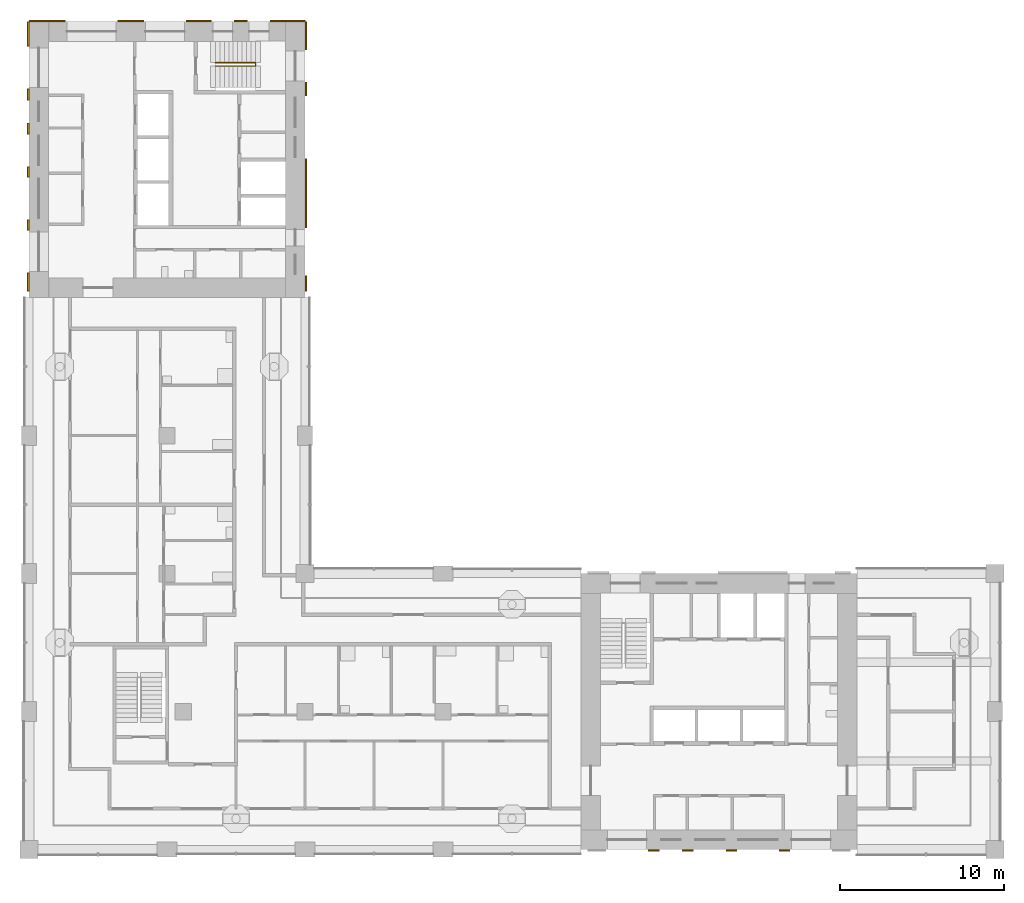
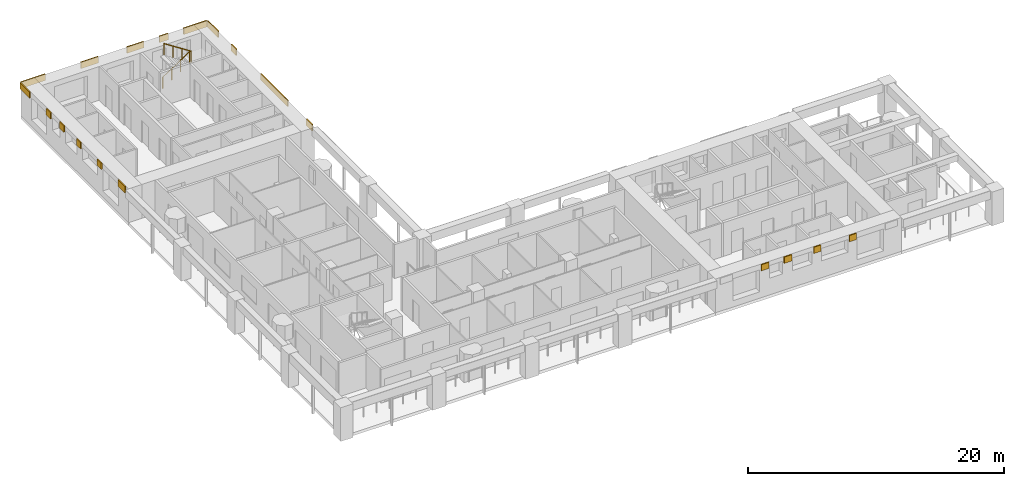
# One storey, part 10 of 13: 19 shading devices, 1 railing.
"""IFC4 building model written with IfcOpenShell, lengths in metres."""

from ifc_helpers import new_model, si_unit, direction, frame, origin, origin_2d, place, context, subcontext, project, spatial, rectangle, circle, extrude, material, layer, layer_set, type_object, element, save


model = new_model("IFC4")

# Units and contexts
model_context = context("Model", 3, precision=1e-05, world=origin(), true_north=direction((0.0, 1.0)))
body_context = subcontext(model_context, "Body", "Model", "MODEL_VIEW")
ifc_project = project(units=[si_unit("LENGTHUNIT", "METRE"), si_unit("AREAUNIT", "SQUARE_METRE"), si_unit("VOLUMEUNIT", "CUBIC_METRE"), si_unit("PLANEANGLEUNIT", "RADIAN"), si_unit("MASSUNIT", "GRAM", prefix="KILO")], contexts=[model_context])

# Site, building, storey
site_placement = place(None, origin())
site = spatial("IfcSite", under=ifc_project, at=site_placement, CompositionType="ELEMENT")
building_placement = place(site_placement, origin())
building = spatial("IfcBuilding", under=site, at=building_placement, Name="Vermilion Gate Residences", CompositionType="ELEMENT")
storey_placement = place(building_placement, frame((0.0, 0.0, 147.699951171875)))
storey = spatial("IfcBuildingStorey", under=building, at=storey_placement, Name="L37", CompositionType="ELEMENT", Elevation=147.699951171875)

# Railing
ifc_material_1 = material(Name="Steel S355", Category="steel")
railing_type = type_object("IfcRailingType", Name="STAIR GUARD 1100 STEEL", PredefinedType="GUARDRAIL", material=ifc_material_1)
railing_placement = place(storey_placement, frame((19.75, 56.300048828125, 0.175048828125)))
element("IfcRailing", 1, at=railing_placement, inside=storey, type_object=railing_type, Name="Stair well guard STB1-37", PredefinedType="GUARDRAIL", context=body_context, shape_type="SweptSolid", body=[
    extrude(circle(Radius=0.02392578125, at=origin_2d()), frame((0.0, 0.0, 1.076171875), z_axis=(0.839153699163, 0.0, 0.543894354798), x_axis=(0.0, 1.0, 0.0)), (0.0, 0.0, 1.0), 2.895751953125),
    extrude(circle(Radius=0.02392578125, at=origin_2d()), frame((2.429931640625, 0.0, 2.65087890625), z_axis=(0.0, -0.752405939678, 0.658699705433), x_axis=(1.0, 0.0, 0.0)), (0.0, 0.0, 1.0), 0.265869140625),
    extrude(circle(Radius=0.02392578125, at=origin_2d()), frame((2.429931640625, -0.199951171875, 2.826171875), z_axis=(-0.839153699163, 0.0, 0.543894354798), x_axis=(0.0, -1.0, 0.0)), (0.0, 0.0, 1.0), 2.895751953125),
    extrude(circle(Radius=0.02099609375, at=origin_2d()), origin(), (0.0, 0.0, 1.0), 1.052001953125),
    extrude(circle(Radius=0.02099609375, at=origin_2d()), frame((0.81005859375, 0.0, 0.52490234375)), (0.0, 0.0, 1.0), 1.052001953125),
    extrude(circle(Radius=0.02099609375, at=origin_2d()), frame((1.619873046875, 0.0, 1.050048828125)), (0.0, 0.0, 1.0), 1.052001953125),
    extrude(circle(Radius=0.02099609375, at=origin_2d()), frame((2.429931640625, 0.0, 1.574951171875)), (0.0, 0.0, 1.0), 1.052001953125),
    extrude(circle(Radius=0.02099609375, at=origin_2d()), frame((2.429931640625, -0.199951171875, 1.75)), (0.0, 0.0, 1.0), 1.052001953125),
    extrude(circle(Radius=0.02099609375, at=origin_2d()), frame((1.619873046875, -0.199951171875, 2.27490234375)), (0.0, 0.0, 1.0), 1.052001953125),
    extrude(circle(Radius=0.02099609375, at=origin_2d()), frame((0.81005859375, -0.199951171875, 2.800048828125)), (0.0, 0.0, 1.0), 1.052001953125),
    extrude(circle(Radius=0.02099609375, at=origin_2d()), frame((0.0, -0.199951171875, 3.324951171875)), (0.0, 0.0, 1.0), 1.052001953125),
])

# Shading devices
ifc_material_2 = material(Name="Extruded terracotta", Category="masonry")
ifc_layer = layer(ifc_material_2, 0.10009765625)
ifc_layer_set = layer_set([ifc_layer], Name="TERRACOTTA SPANDREL BAND 600 X 100")
shading_device_type = type_object("IfcShadingDeviceType", Name="TERRACOTTA SPANDREL BAND 600 X 100", PredefinedType="USERDEFINED", material=ifc_layer_set)
shading_device_1_placement = place(storey_placement, frame((46.4375, 8.35009765625, 2.6201171875), z_axis=(0.0, 0.0, 1.0), x_axis=(1.0, 0.0, 0.0)))
element("IfcShadingDevice", 2, at=shading_device_1_placement, inside=storey, type_object=shading_device_type, Name="SPANDREL BAND", ObjectType="BAND", PredefinedType="USERDEFINED", context=body_context, shape_type="SweptSolid", body=[
    extrude(rectangle(XDim=0.675048828125, YDim=0.10009765625, at=origin_2d()), origin(), (0.0, 0.0, 1.0), 0.60009765625),
])
shading_device_2_placement = place(storey_placement, frame((48.510009765625, 8.35009765625, 2.6201171875), z_axis=(0.0, 0.0, 1.0), x_axis=(1.0, 0.0, 0.0)))
element("IfcShadingDevice", 3, at=shading_device_2_placement, inside=storey, type_object=shading_device_type, Name="SPANDREL BAND", ObjectType="BAND", PredefinedType="USERDEFINED", context=body_context, shape_type="SweptSolid", body=[
    extrude(rectangle(XDim=0.669921875, YDim=0.10009765625, at=origin_2d()), origin(), (0.0, 0.0, 1.0), 0.60009765625),
])
shading_device_3_placement = place(storey_placement, frame((51.157470703125, 8.35009765625, 2.6201171875), z_axis=(0.0, 0.0, 1.0), x_axis=(1.0, 0.0, 0.0)))
element("IfcShadingDevice", 4, at=shading_device_3_placement, inside=storey, type_object=shading_device_type, Name="SPANDREL BAND", ObjectType="BAND", PredefinedType="USERDEFINED", context=body_context, shape_type="SweptSolid", body=[
    extrude(rectangle(XDim=0.625, YDim=0.10009765625, at=origin_2d()), origin(), (0.0, 0.0, 1.0), 0.60009765625),
])
shading_device_4_placement = place(storey_placement, frame((54.385009765625, 8.35009765625, 2.6201171875), z_axis=(0.0, 0.0, 1.0), x_axis=(1.0, 0.0, 0.0)))
element("IfcShadingDevice", 5, at=shading_device_4_placement, inside=storey, type_object=shading_device_type, Name="SPANDREL BAND", ObjectType="BAND", PredefinedType="USERDEFINED", context=body_context, shape_type="SweptSolid", body=[
    extrude(rectangle(XDim=0.6298828125, YDim=0.10009765625, at=origin_2d()), origin(), (0.0, 0.0, 1.0), 0.60009765625),
])
shading_device_5_placement = place(storey_placement, frame((9.50244140625, 58.85009765625, 2.6201171875), z_axis=(0.0, 0.0, 1.0), x_axis=(1.0, 0.0, 0.0)))
element("IfcShadingDevice", 6, at=shading_device_5_placement, inside=storey, type_object=shading_device_type, Name="SPANDREL BAND", ObjectType="BAND", PredefinedType="USERDEFINED", context=body_context, shape_type="SweptSolid", body=[
    extrude(rectangle(XDim=2.205078125, YDim=0.10009765625, at=origin_2d()), origin(), (0.0, 0.0, 1.0), 0.60009765625),
])
shading_device_6_placement = place(storey_placement, frame((14.590087890625, 58.85009765625, 2.6201171875), z_axis=(0.0, 0.0, 1.0), x_axis=(1.0, 0.0, 0.0)))
element("IfcShadingDevice", 7, at=shading_device_6_placement, inside=storey, type_object=shading_device_type, Name="SPANDREL BAND", ObjectType="BAND", PredefinedType="USERDEFINED", context=body_context, shape_type="SweptSolid", body=[
    extrude(rectangle(XDim=1.570068359375, YDim=0.10009765625, at=origin_2d()), origin(), (0.0, 0.0, 1.0), 0.60009765625),
])
shading_device_7_placement = place(storey_placement, frame((18.734130859375, 58.85009765625, 2.6201171875), z_axis=(0.0, 0.0, 1.0), x_axis=(1.0, 0.0, 0.0)))
element("IfcShadingDevice", 8, at=shading_device_7_placement, inside=storey, type_object=shading_device_type, Name="SPANDREL BAND", ObjectType="BAND", PredefinedType="USERDEFINED", context=body_context, shape_type="SweptSolid", body=[
    extrude(rectangle(XDim=1.518310546875, YDim=0.10009765625, at=origin_2d()), origin(), (0.0, 0.0, 1.0), 0.60009765625),
])
shading_device_8_placement = place(storey_placement, frame((21.294921875, 58.85009765625, 2.6201171875), z_axis=(0.0, 0.0, 1.0), x_axis=(1.0, 0.0, 0.0)))
element("IfcShadingDevice", 9, at=shading_device_8_placement, inside=storey, type_object=shading_device_type, Name="SPANDREL BAND", ObjectType="BAND", PredefinedType="USERDEFINED", context=body_context, shape_type="SweptSolid", body=[
    extrude(rectangle(XDim=0.803466796875, YDim=0.10009765625, at=origin_2d()), origin(), (0.0, 0.0, 1.0), 0.60009765625),
])
shading_device_9_placement = place(storey_placement, frame((24.1484375, 58.85009765625, 2.6201171875), z_axis=(0.0, 0.0, 1.0), x_axis=(1.0, 0.0, 0.0)))
element("IfcShadingDevice", 10, at=shading_device_9_placement, inside=storey, type_object=shading_device_type, Name="SPANDREL BAND", ObjectType="BAND", PredefinedType="USERDEFINED", context=body_context, shape_type="SweptSolid", body=[
    extrude(rectangle(XDim=2.103271484375, YDim=0.10009765625, at=origin_2d()), origin(), (0.0, 0.0, 1.0), 0.60009765625),
])
shading_device_10_placement = place(storey_placement, frame((8.35009765625, 42.949951171875, 2.6201171875), z_axis=(0.0, 0.0, 1.0), x_axis=(0.0, 1.0, 0.0)))
element("IfcShadingDevice", 11, at=shading_device_10_placement, inside=storey, type_object=shading_device_type, Name="SPANDREL BAND", ObjectType="BAND", PredefinedType="USERDEFINED", context=body_context, shape_type="SweptSolid", body=[
    extrude(rectangle(XDim=1.10009765625, YDim=0.10009765625, at=origin_2d()), origin(), (0.0, 0.0, 1.0), 0.60009765625),
])
shading_device_11_placement = place(storey_placement, frame((8.35009765625, 46.4150390625, 2.6201171875), z_axis=(0.0, 0.0, 1.0), x_axis=(0.0, 1.0, 0.0)))
element("IfcShadingDevice", 12, at=shading_device_11_placement, inside=storey, type_object=shading_device_type, Name="SPANDREL BAND", ObjectType="BAND", PredefinedType="USERDEFINED", context=body_context, shape_type="SweptSolid", body=[
    extrude(rectangle(XDim=0.6298828125, YDim=0.10009765625, at=origin_2d()), origin(), (0.0, 0.0, 1.0), 0.60009765625),
])
shading_device_12_placement = place(storey_placement, frame((8.35009765625, 49.642578125, 2.6201171875), z_axis=(0.0, 0.0, 1.0), x_axis=(0.0, 1.0, 0.0)))
element("IfcShadingDevice", 13, at=shading_device_12_placement, inside=storey, type_object=shading_device_type, Name="SPANDREL BAND", ObjectType="BAND", PredefinedType="USERDEFINED", context=body_context, shape_type="SweptSolid", body=[
    extrude(rectangle(XDim=0.625, YDim=0.10009765625, at=origin_2d()), origin(), (0.0, 0.0, 1.0), 0.60009765625),
])
shading_device_13_placement = place(storey_placement, frame((8.35009765625, 52.2900390625, 2.6201171875), z_axis=(0.0, 0.0, 1.0), x_axis=(0.0, 1.0, 0.0)))
element("IfcShadingDevice", 14, at=shading_device_13_placement, inside=storey, type_object=shading_device_type, Name="SPANDREL BAND", ObjectType="BAND", PredefinedType="USERDEFINED", context=body_context, shape_type="SweptSolid", body=[
    extrude(rectangle(XDim=0.669921875, YDim=0.10009765625, at=origin_2d()), origin(), (0.0, 0.0, 1.0), 0.60009765625),
])
shading_device_14_placement = place(storey_placement, frame((8.35009765625, 54.362548828125, 2.6201171875), z_axis=(0.0, 0.0, 1.0), x_axis=(0.0, 1.0, 0.0)))
element("IfcShadingDevice", 15, at=shading_device_14_placement, inside=storey, type_object=shading_device_type, Name="SPANDREL BAND", ObjectType="BAND", PredefinedType="USERDEFINED", context=body_context, shape_type="SweptSolid", body=[
    extrude(rectangle(XDim=0.675048828125, YDim=0.10009765625, at=origin_2d()), origin(), (0.0, 0.0, 1.0), 0.60009765625),
])
shading_device_15_placement = place(storey_placement, frame((8.35009765625, 58.050048828125, 2.6201171875), z_axis=(0.0, 0.0, 1.0), x_axis=(0.0, 1.0, 0.0)))
element("IfcShadingDevice", 16, at=shading_device_15_placement, inside=storey, type_object=shading_device_type, Name="SPANDREL BAND", ObjectType="BAND", PredefinedType="USERDEFINED", context=body_context, shape_type="SweptSolid", body=[
    extrude(rectangle(XDim=1.5, YDim=0.10009765625, at=origin_2d()), origin(), (0.0, 0.0, 1.0), 0.60009765625),
])
shading_device_16_placement = place(storey_placement, frame((25.25, 42.862548828125, 2.6201171875), z_axis=(0.0, 0.0, 1.0), x_axis=(0.0, 1.0, 0.0)))
element("IfcShadingDevice", 17, at=shading_device_16_placement, inside=storey, type_object=shading_device_type, Name="SPANDREL BAND", ObjectType="BAND", PredefinedType="USERDEFINED", context=body_context, shape_type="SweptSolid", body=[
    extrude(rectangle(XDim=0.925048828125, YDim=0.10009765625, at=origin_2d()), origin(), (0.0, 0.0, 1.0), 0.60009765625),
])
shading_device_17_placement = place(storey_placement, frame((25.25, 48.35009765625, 2.6201171875), z_axis=(0.0, 0.0, 1.0), x_axis=(0.0, 1.0, 0.0)))
element("IfcShadingDevice", 18, at=shading_device_17_placement, inside=storey, type_object=shading_device_type, Name="SPANDREL BAND", ObjectType="BAND", PredefinedType="USERDEFINED", context=body_context, shape_type="SweptSolid", body=[
    extrude(rectangle(XDim=4.199951171875, YDim=0.10009765625, at=origin_2d()), origin(), (0.0, 0.0, 1.0), 0.60009765625),
])
shading_device_18_placement = place(storey_placement, frame((25.25, 54.6875, 2.6201171875), z_axis=(0.0, 0.0, 1.0), x_axis=(0.0, 1.0, 0.0)))
element("IfcShadingDevice", 19, at=shading_device_18_placement, inside=storey, type_object=shading_device_type, Name="SPANDREL BAND", ObjectType="BAND", PredefinedType="USERDEFINED", context=body_context, shape_type="SweptSolid", body=[
    extrude(rectangle(XDim=0.824951171875, YDim=0.10009765625, at=origin_2d()), origin(), (0.0, 0.0, 1.0), 0.60009765625),
])
shading_device_19_placement = place(storey_placement, frame((25.25, 57.949951171875, 2.6201171875), z_axis=(0.0, 0.0, 1.0), x_axis=(0.0, 1.0, 0.0)))
element("IfcShadingDevice", 20, at=shading_device_19_placement, inside=storey, type_object=shading_device_type, Name="SPANDREL BAND", ObjectType="BAND", PredefinedType="USERDEFINED", context=body_context, shape_type="SweptSolid", body=[
    extrude(rectangle(XDim=1.699951171875, YDim=0.10009765625, at=origin_2d()), origin(), (0.0, 0.0, 1.0), 0.60009765625),
])

save(model, "model.ifc")
